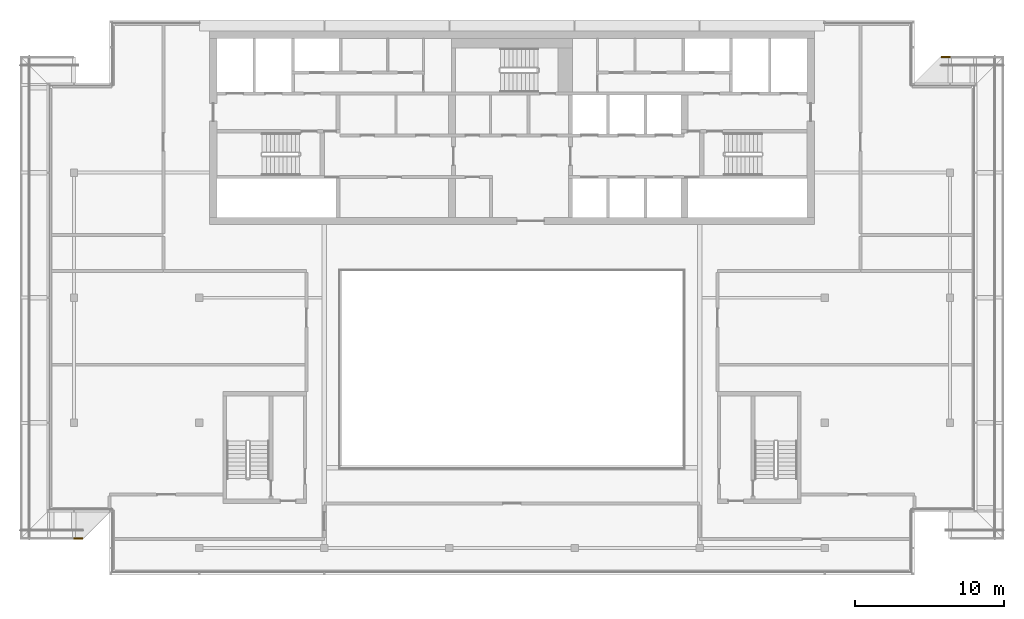
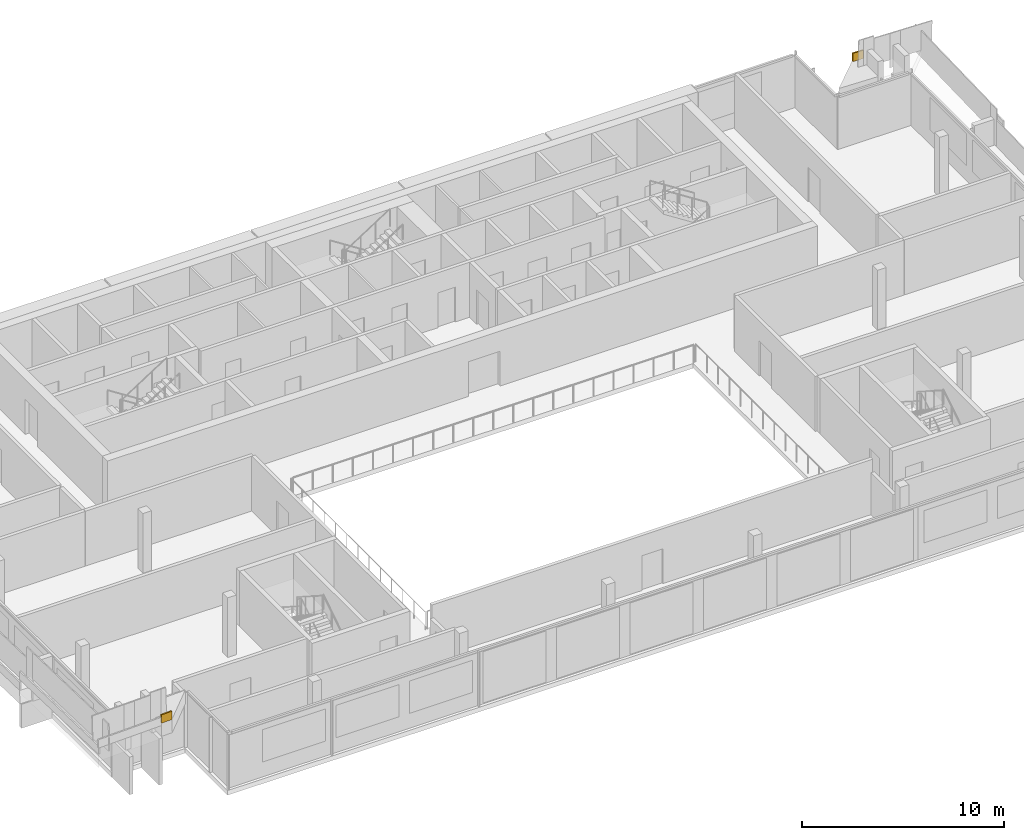
# One storey, part 20 of 20: 2 coverings.
"""IFC4 building model written with IfcOpenShell, lengths in metres."""

from ifc_helpers import new_model, si_unit, direction, frame, origin, place, context, subcontext, project, spatial, polyline, outline, extrude, material, layer, layer_set, type_object, element, save


model = new_model("IFC4")

# Units and contexts
model_context = context("Model", 3, precision=1e-05, world=origin(), true_north=direction((0.0, 1.0)))
body_context = subcontext(model_context, "Body", "Model", "MODEL_VIEW")
ifc_project = project(units=[si_unit("LENGTHUNIT", "METRE"), si_unit("AREAUNIT", "SQUARE_METRE"), si_unit("VOLUMEUNIT", "CUBIC_METRE"), si_unit("PLANEANGLEUNIT", "RADIAN"), si_unit("MASSUNIT", "GRAM", prefix="KILO")], contexts=[model_context])

# Site, building, storey
site_placement = place(None, origin())
site = spatial("IfcSite", under=ifc_project, at=site_placement, CompositionType="ELEMENT")
building_placement = place(site_placement, origin())
building = spatial("IfcBuilding", under=site, at=building_placement, Name="Saffron Gate Tower", CompositionType="ELEMENT")
storey_placement = place(building_placement, frame((0.0, 0.0, 303.14990234375)))
storey = spatial("IfcBuildingStorey", under=building, at=storey_placement, Name="L74", CompositionType="ELEMENT", Elevation=303.14990234375)

# Coverings
ifc_material = material(Name="Timber, thermally modified ash", Category="wood")
ifc_layer = layer(ifc_material, 0.080078125)
ifc_layer_set = layer_set([ifc_layer], Name="LD2 ledge planter trough")
covering_type = type_object("IfcCoveringType", Name="LD2 ledge planter trough", PredefinedType="CLADDING", material=ifc_layer_set)
for number, where, z_axis, x_axis, name in (
    (1, (58.199951171875, 40.800048828125, 3.453857421875), (0.0, -1.0, 0.0), (0.999583081391, 0.0, 0.028873229772), "LEDGE planter trough"),
    (2, (117.0, 73.199951171875, 3.453857421875), (0.0, 1.0, 0.0), (-0.999583081391, 0.0, 0.028873229772), "LEDGE planter trough"),
):
    element("IfcCovering", number, at=place(storey_placement, frame(where, z_axis=z_axis, x_axis=x_axis)), inside=storey, type_object=covering_type, Name=name, PredefinedType="CLADDING", context=body_context, shape_type="SweptSolid", body=[
        extrude(outline(polyline([(0.0, 0.0), (0.6003479524834376, -3.469446951953614e-18), (0.6147845673692678, 0.4997915406953566), (0.014436614885830073, 0.4997915406953566), (0.0, 0.0)])), origin(), (0.0, 0.0, -1.0), 0.080078125),
    ])

save(model, "model.ifc")
